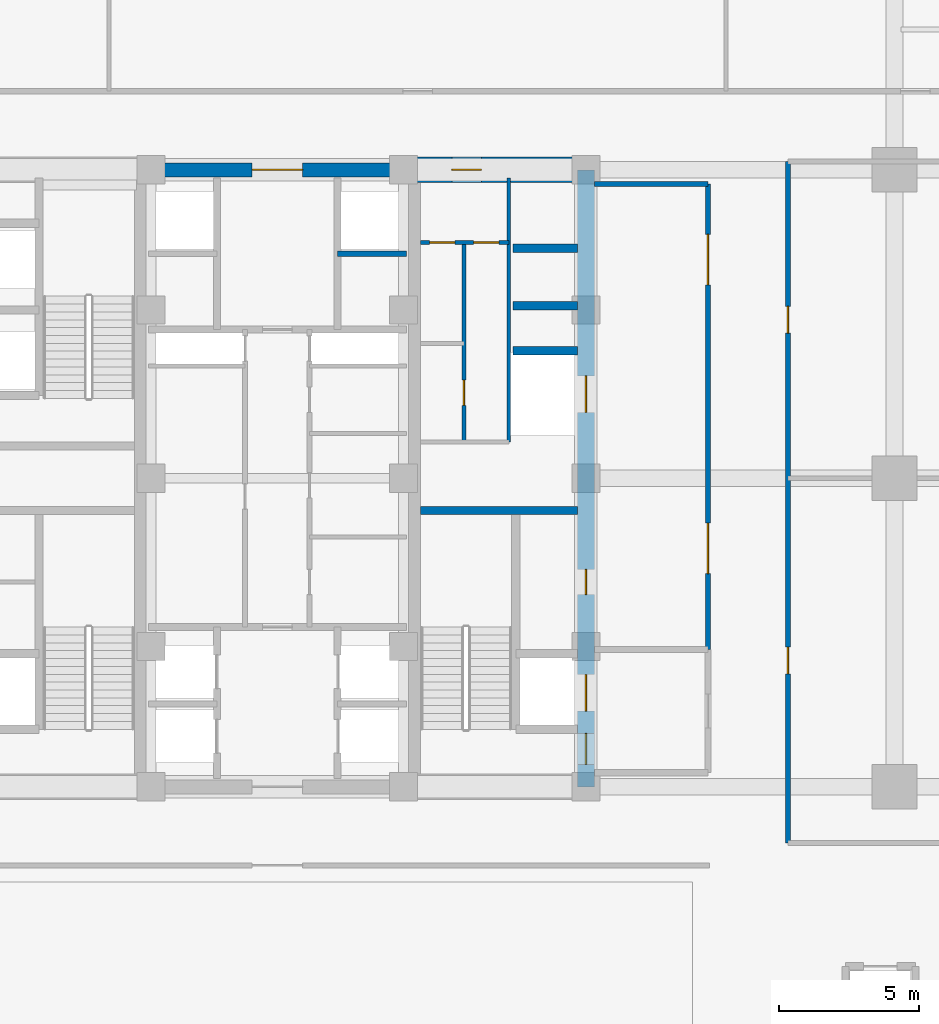
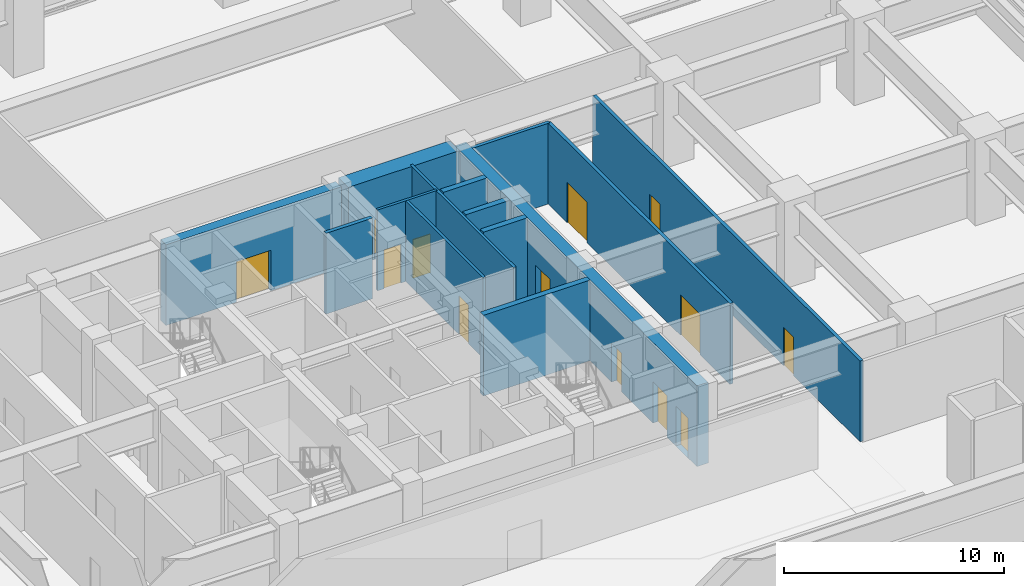
# One storey, part 28 of 38: 14 walls, 13 doors, 13 openings.
"""IFC4 building model written with IfcOpenShell, lengths in metres."""

from ifc_helpers import new_model, si_unit, direction, frame, frame_2d, origin, place, context, subcontext, project, spatial, rectangle, extrude, source, transform, mapped, material, layer, layer_set, type_object, element, fill, save


model = new_model("IFC4")

# Units and contexts
model_context = context("Model", 3, precision=1e-05, world=origin(), true_north=direction((0.0, 1.0)))
body_context = subcontext(model_context, "Body", "Model", "MODEL_VIEW")
ifc_project = project(units=[si_unit("LENGTHUNIT", "METRE"), si_unit("AREAUNIT", "SQUARE_METRE"), si_unit("VOLUMEUNIT", "CUBIC_METRE"), si_unit("PLANEANGLEUNIT", "RADIAN"), si_unit("MASSUNIT", "GRAM", prefix="KILO")], contexts=[model_context])

# Site, building, storey
site_placement = place(None, origin())
site = spatial("IfcSite", under=ifc_project, at=site_placement, CompositionType="ELEMENT")
building_placement = place(site_placement, origin())
building = spatial("IfcBuilding", under=site, at=building_placement, Name="Khorayat Bourse Tower", CompositionType="ELEMENT")
storey_placement = place(building_placement, frame((0.0, 0.0, 17.39990234375)))
storey = spatial("IfcBuildingStorey", under=building, at=storey_placement, Name="L03", CompositionType="ELEMENT", Elevation=17.39990234375)

# Wall, openings, doors
ifc_material_1 = material(Name="Concrete C60/75", Category="concrete")
ifc_layer_1 = layer(ifc_material_1, 0.60009765625)
ifc_layer_set_1 = layer_set([ifc_layer_1], Name="Concrete C60/75")
wall_type_1 = type_object("IfcWallType", Name="WAL-CORE-600", PredefinedType="SHEAR", material=ifc_layer_set_1)
shared_shape_1 = source(origin(), body_context, "Body", "SweptSolid", [
    extrude(rectangle(XDim=22.0, YDim=0.60009765625, at=frame_2d((11.0, 0.0))), origin(), (0.0, 0.0, 1.0), 4.47998046875),
])
wall_1_placement = place(storey_placement, frame((11.0, -11.0, 0.0), z_axis=(0.0, 0.0, 1.0), x_axis=(0.0, 1.0, 0.0)))
wall_1 = element("IfcWall", 1, at=wall_1_placement, inside=storey, type_object=wall_type_1, Name="L03 Core Shear Wall CORE-E", PredefinedType="SHEAR", context=body_context, shape_type="MappedRepresentation", body=[
    mapped(shared_shape_1, transform((0.0, 0.0, 0.0), scale=1.0)),
])
shared_shape_2 = source(origin(), body_context, "Body", "SweptSolid", [
    extrude(rectangle(XDim=1.10009765625, YDim=2.199951171875, at=frame_2d((0.550048828125, 1.10009765625))), frame((0.0, 0.31005859375, 0.0), z_axis=(0.0, -1.0, 0.0), x_axis=(1.0, 0.0, 0.0)), (0.0, 0.0, 1.0), 0.6201171875),
])
opening_1_placement = place(wall_1_placement, frame((0.800048828125, 0.0, 0.0)))
opening_1 = element("IfcOpeningElement", 2, at=opening_1_placement, cuts=wall_1, Name="Opening DI-01", PredefinedType="OPENING", context=body_context, shape_type="MappedRepresentation", body=[
    mapped(shared_shape_2, transform((0.0, 0.0, 0.0), scale=1.0)),
])
shared_shape_3 = source(origin(), body_context, "Body", "SweptSolid", [
    extrude(rectangle(XDim=0.89990234375, YDim=2.14990234375, at=frame_2d((0.449951171875, 1.074951171875))), frame((0.0, 0.31005859375, 0.0), z_axis=(0.0, -1.0, 0.0), x_axis=(1.0, 0.0, 0.0)), (0.0, 0.0, 1.0), 0.6201171875),
])
opening_2_placement = place(wall_1_placement, frame((6.85009765625, 0.0, 0.0)))
opening_2 = element("IfcOpeningElement", 3, at=opening_2_placement, cuts=wall_1, Name="Opening DI-06", PredefinedType="OPENING", context=body_context, shape_type="MappedRepresentation", body=[
    mapped(shared_shape_3, transform((0.0, 0.0, 0.0), scale=1.0)),
])
shared_shape_4 = source(origin(), body_context, "Body", "SweptSolid", [
    extrude(rectangle(XDim=1.300048828125, YDim=2.300048828125, at=frame_2d((0.64990234375, 1.14990234375))), frame((0.0, 0.31005859375, 0.0), z_axis=(0.0, -1.0, 0.0), x_axis=(1.0, 0.0, 0.0)), (0.0, 0.0, 1.0), 0.6201171875),
])
opening_3_placement = place(wall_1_placement, frame((2.699951171875, 0.0, 0.0)))
opening_3 = element("IfcOpeningElement", 4, at=opening_3_placement, cuts=wall_1, Name="Opening LD-02", PredefinedType="OPENING", context=body_context, shape_type="MappedRepresentation", body=[
    mapped(shared_shape_4, transform((0.0, 0.0, 0.0), scale=1.0)),
])
opening_4_placement = place(wall_1_placement, frame((13.35009765625, 0.0, 0.0)))
opening_4 = element("IfcOpeningElement", 5, at=opening_4_placement, cuts=wall_1, Name="Opening LD-02", PredefinedType="OPENING", context=body_context, shape_type="MappedRepresentation", body=[
    mapped(shared_shape_4, transform((0.0, 0.0, 0.0), scale=1.0)),
])
ifc_material_2 = material(Name="Fire-rated steel acoustic leaf", Category="steel")
door_type_1 = type_object("IfcDoorType", Name="DR-INT-STAIR-1100", OperationType="NOTDEFINED", PredefinedType="DOOR", material=ifc_material_2)
shared_shape_5 = source(origin(), body_context, "Body", "SweptSolid", [
    extrude(rectangle(XDim=1.10009765625, YDim=2.199951171875, at=frame_2d((0.550048828125, 1.10009765625))), frame((0.0, 0.02490234375, 0.0), z_axis=(0.0, -1.0, 0.0), x_axis=(1.0, 0.0, 0.0)), (0.0, 0.0, 1.0), 0.050048828125),
])
door_1_placement = place(opening_1_placement, origin())
door_1 = element("IfcDoor", 6, at=door_1_placement, inside=storey, type_object=door_type_1, Name="L03 Exit Stair 3 Door", OperationType="SINGLE_SWING_LEFT", OverallHeight=2.199951171875, OverallWidth=1.10009765625, PredefinedType="DOOR", context=body_context, shape_type="MappedRepresentation", body=[
    mapped(shared_shape_5, transform((0.0, 0.0, 0.0), scale=1.0)),
])
fill(opening_1, door_1)
ifc_material_3 = material(Name="Moisture-resistant laminate washroom door")
door_type_2 = type_object("IfcDoorType", Name="DR-INT-WC-900", OperationType="NOTDEFINED", PredefinedType="DOOR", material=ifc_material_3)
shared_shape_6 = source(origin(), body_context, "Body", "SweptSolid", [
    extrude(rectangle(XDim=0.89990234375, YDim=2.14990234375, at=frame_2d((0.449951171875, 1.074951171875))), frame((0.0, 0.02490234375, 0.0), z_axis=(0.0, -1.0, 0.0), x_axis=(1.0, 0.0, 0.0)), (0.0, 0.0, 1.0), 0.050048828125),
])
door_2_placement = place(opening_2_placement, origin())
door_2 = element("IfcDoor", 7, at=door_2_placement, inside=storey, type_object=door_type_2, Name="L03 Telecom Server Plant Room Door", OperationType="SINGLE_SWING_LEFT", OverallHeight=2.14990234375, OverallWidth=0.89990234375, PredefinedType="DOOR", context=body_context, shape_type="MappedRepresentation", body=[
    mapped(shared_shape_6, transform((0.0, 0.0, 0.0), scale=1.0)),
])
fill(opening_2, door_2)
ifc_material_4 = material(Name="Fire-rated stainless-steel sliding landing door", Category="steel")
door_type_3 = type_object("IfcDoorType", Name="DR-LIFT-FF-1300", OperationType="NOTDEFINED", PredefinedType="DOOR", material=ifc_material_4)
shared_shape_7 = source(origin(), body_context, "Body", "SweptSolid", [
    extrude(rectangle(XDim=1.300048828125, YDim=2.300048828125, at=frame_2d((0.64990234375, 1.14990234375))), frame((0.0, 0.02490234375, 0.0), z_axis=(0.0, -1.0, 0.0), x_axis=(1.0, 0.0, 0.0)), (0.0, 0.0, 1.0), 0.050048828125),
])
door_3_placement = place(opening_3_placement, origin())
door_3 = element("IfcDoor", 8, at=door_3_placement, inside=storey, type_object=door_type_3, Name="L03 Lift FFL-02 Sliding Landing Door", OperationType="SLIDING_TO_LEFT", OverallHeight=2.300048828125, OverallWidth=1.300048828125, PredefinedType="DOOR", context=body_context, shape_type="MappedRepresentation", body=[
    mapped(shared_shape_7, transform((0.0, 0.0, 0.0), scale=1.0)),
])
fill(opening_3, door_3)
door_4_placement = place(opening_4_placement, origin())
door_4 = element("IfcDoor", 9, at=door_4_placement, inside=storey, type_object=door_type_3, Name="L03 Lift SVL-01 Sliding Landing Door", OperationType="SLIDING_TO_LEFT", OverallHeight=2.300048828125, OverallWidth=1.300048828125, PredefinedType="DOOR", context=body_context, shape_type="MappedRepresentation", body=[
    mapped(shared_shape_7, transform((0.0, 0.0, 0.0), scale=1.0)),
])
fill(opening_4, door_4)

# Wall, opening, door
ifc_material_5 = material(Name="Concrete C72/90", Category="concrete")
ifc_layer_2 = layer(ifc_material_5, 0.89990234375)
ifc_layer_set_2 = layer_set([ifc_layer_2], Name="Concrete C72/90")
wall_type_2 = type_object("IfcWallType", Name="WAL-CORE-900", PredefinedType="SHEAR", material=ifc_layer_set_2)
shared_shape_8 = source(origin(), body_context, "Body", "SweptSolid", [
    extrude(rectangle(XDim=5.849853515625, YDim=0.89990234375, at=frame_2d((2.9248046875, 0.0))), origin(), (0.0, 0.0, 1.0), 4.47998046875),
])
wall_2_placement = place(storey_placement, frame((4.85009765625, 11.0, 0.0), z_axis=(0.0, 0.0, 1.0), x_axis=(1.0, 0.0, 0.0)))
wall_2 = element("IfcWall", 10, at=wall_2_placement, inside=storey, type_object=wall_type_2, Name="L03 Core Shear Wall PIER-EN", PredefinedType="SHEAR", context=body_context, shape_type="MappedRepresentation", body=[
    mapped(shared_shape_8, transform((0.0, 0.0, 0.0), scale=1.0)),
])
shared_shape_9 = source(origin(), body_context, "Body", "SweptSolid", [
    extrude(rectangle(XDim=1.050048828125, YDim=2.199951171875, at=frame_2d((0.52490234375, 1.10009765625))), frame((0.0, 0.4599609375, 0.0), z_axis=(0.0, -1.0, 0.0), x_axis=(1.0, 0.0, 0.0)), (0.0, 0.0, 1.0), 0.919921875),
])
opening_5_placement = place(wall_2_placement, frame((1.375, 0.0, 0.0)))
opening_5 = element("IfcOpeningElement", 11, at=opening_5_placement, cuts=wall_2, Name="Opening DI-04", PredefinedType="OPENING", context=body_context, shape_type="MappedRepresentation", body=[
    mapped(shared_shape_9, transform((0.0, 0.0, 0.0), scale=1.0)),
])
ifc_material_6 = material(Name="Fire-rated oak veneer suite entrance door")
door_type_4 = type_object("IfcDoorType", Name="DR-INT-SUITE-1050", OperationType="NOTDEFINED", PredefinedType="DOOR", material=ifc_material_6)
shared_shape_10 = source(origin(), body_context, "Body", "SweptSolid", [
    extrude(rectangle(XDim=1.050048828125, YDim=2.199951171875, at=frame_2d((0.52490234375, 1.10009765625))), frame((0.0, 0.02490234375, 0.0), z_axis=(0.0, -1.0, 0.0), x_axis=(1.0, 0.0, 0.0)), (0.0, 0.0, 1.0), 0.050048828125),
])
door_5_placement = place(opening_5_placement, origin())
door_5 = element("IfcDoor", 12, at=door_5_placement, inside=storey, type_object=door_type_4, Name="L03 Core Washroom Lobby Door", OperationType="SINGLE_SWING_LEFT", OverallHeight=2.199951171875, OverallWidth=1.050048828125, PredefinedType="DOOR", context=body_context, shape_type="MappedRepresentation", body=[
    mapped(shared_shape_10, transform((0.0, 0.0, 0.0), scale=1.0)),
])
fill(opening_5, door_5)

# Wall
ifc_material_7 = material(Name="Concrete C50/60", Category="concrete")
ifc_layer_3 = layer(ifc_material_7, 0.300048828125)
ifc_layer_set_3 = layer_set([ifc_layer_3], Name="Concrete C50/60")
wall_type_3 = type_object("IfcWallType", Name="WAL-SHAFT-300", PredefinedType="SHEAR", material=ifc_layer_set_3)
shared_shape_11 = source(origin(), body_context, "Body", "SweptSolid", [
    extrude(rectangle(XDim=5.599853515625, YDim=0.300048828125, at=frame_2d((2.7998046875, 0.0))), origin(), (0.0, 0.0, 1.0), 4.47998046875),
])
wall_3_placement = place(storey_placement, frame((5.10009765625, -1.14990234375, 0.0), z_axis=(0.0, 0.0, 1.0), x_axis=(1.0, 0.0, 0.0)))
element("IfcWall", 13, at=wall_3_placement, inside=storey, type_object=wall_type_3, Name="L03 Core Shear Wall ST3-DIV", PredefinedType="SHEAR", context=body_context, shape_type="MappedRepresentation", body=[
    mapped(shared_shape_11, transform((0.0, 0.0, 0.0), scale=1.0)),
])

# Wall, opening, door
ifc_material_8 = material(Name="Concrete C52/65", Category="concrete")
ifc_layer_4 = layer(ifc_material_8, 0.5)
ifc_layer_set_4 = layer_set([ifc_layer_4], Name="Concrete C52/65")
wall_type_4 = type_object("IfcWallType", Name="WAL-CORE-500", PredefinedType="SHEAR", material=ifc_layer_set_4)
shared_shape_12 = source(origin(), body_context, "Body", "SweptSolid", [
    extrude(rectangle(XDim=9.2001953125, YDim=0.5, at=frame_2d((4.60009765625, 0.0))), origin(), (0.0, 0.0, 1.0), 4.47998046875),
])
wall_4_placement = place(storey_placement, frame((-4.60009765625, 11.0, 0.0), z_axis=(0.0, 0.0, 1.0), x_axis=(1.0, 0.0, 0.0)))
wall_4 = element("IfcWall", 14, at=wall_4_placement, inside=storey, type_object=wall_type_4, Name="L03 Core Shear Wall CORE-N", PredefinedType="SHEAR", context=body_context, shape_type="MappedRepresentation", body=[
    mapped(shared_shape_12, transform((0.0, 0.0, 0.0), scale=1.0)),
])
shared_shape_13 = source(origin(), body_context, "Body", "SweptSolid", [
    extrude(rectangle(XDim=1.800048828125, YDim=2.25, at=frame_2d((0.89990234375, 1.125))), frame((0.0, 0.260009765625, 0.0), z_axis=(0.0, -1.0, 0.0), x_axis=(1.0, 0.0, 0.0)), (0.0, 0.0, 1.0), 0.52001953125),
])
opening_6_placement = place(wall_4_placement, frame((3.699951171875, 0.0, 0.0)))
opening_6 = element("IfcOpeningElement", 15, at=opening_6_placement, cuts=wall_4, Name="Opening DI-03", PredefinedType="OPENING", context=body_context, shape_type="MappedRepresentation", body=[
    mapped(shared_shape_13, transform((0.0, 0.0, 0.0), scale=1.0)),
])
ifc_material_9 = material(Name="Fire-rated hardwood vision-panel double leaf", Category="wood")
door_type_5 = type_object("IfcDoorType", Name="DR-INT-CORR-1800", OperationType="NOTDEFINED", PredefinedType="DOOR", material=ifc_material_9)
shared_shape_14 = source(origin(), body_context, "Body", "SweptSolid", [
    extrude(rectangle(XDim=1.800048828125, YDim=2.25, at=frame_2d((0.89990234375, 1.125))), frame((0.0, 0.02490234375, 0.0), z_axis=(0.0, -1.0, 0.0), x_axis=(1.0, 0.0, 0.0)), (0.0, 0.0, 1.0), 0.050048828125),
])
door_6_placement = place(opening_6_placement, origin())
door_6 = element("IfcDoor", 16, at=door_6_placement, inside=storey, type_object=door_type_5, Name="L03 Mid-Rise Lift Lobby Door", OperationType="SINGLE_SWING_RIGHT", OverallHeight=2.25, OverallWidth=1.800048828125, PredefinedType="DOOR", context=body_context, shape_type="MappedRepresentation", body=[
    mapped(shared_shape_14, transform((0.0, 0.0, 0.0), scale=1.0)),
])
fill(opening_6, door_6)

# Walls
shared_shape_15 = source(origin(), body_context, "Body", "SweptSolid", [
    extrude(rectangle(XDim=2.300048828125, YDim=0.300048828125, at=frame_2d((1.14990234375, 0.0))), origin(), (0.0, 0.0, 1.0), 4.47998046875),
])
for number, where, z_axis, x_axis, name in (
    (17, (8.39990234375, 4.550048828125, 0.0), (0.0, 0.0, 1.0), (1.0, 0.0, 0.0), "L03 Partition WAL-L03-EPIER-SVLN"),
    (18, (8.39990234375, 6.14990234375, 0.0), (0.0, 0.0, 1.0), (1.0, 0.0, 0.0), "L03 Partition WAL-L03-EPIER-H3S"),
    (19, (8.39990234375, 8.199951171875, 0.0), (0.0, 0.0, 1.0), (1.0, 0.0, 0.0), "L03 Partition WAL-L03-EPIER-H34"),
):
    element("IfcWall", number, at=place(storey_placement, frame(where, z_axis=z_axis, x_axis=x_axis)), inside=storey, type_object=wall_type_3, Name=name, PredefinedType="SHEAR", context=body_context, shape_type="MappedRepresentation", body=[
        mapped(shared_shape_15, transform((0.0, 0.0, 0.0), scale=1.0)),
    ])
ifc_material_10 = material(Name="Moisture-resistant masonry partition", Category="masonry")
ifc_layer_5 = layer(ifc_material_10, 0.139892578125)
ifc_layer_set_5 = layer_set([ifc_layer_5], Name="Moisture-resistant masonry partition")
wall_type_5 = type_object("IfcWallType", Name="WAL-PART-WET-140", PredefinedType="PARTITIONING", material=ifc_layer_set_5)
shared_shape_16 = source(origin(), body_context, "Body", "SweptSolid", [
    extrude(rectangle(XDim=9.39990234375, YDim=0.139892578125, at=frame_2d((4.699951171875, 0.0))), origin(), (0.0, 0.0, 1.0), 4.47998046875),
])
wall_5_placement = place(storey_placement, frame((8.25, 1.300048828125, 0.0), z_axis=(0.0, 0.0, 1.0), x_axis=(0.0, 1.0, 0.0)))
element("IfcWall", 20, at=wall_5_placement, inside=storey, type_object=wall_type_5, Name="L03 Partition WAL-L03-ECORE-E", PredefinedType="PARTITIONING", context=body_context, shape_type="MappedRepresentation", body=[
    mapped(shared_shape_16, transform((0.0, 0.0, 0.0), scale=1.0)),
])

# Wall, openings, doors
shared_shape_17 = source(origin(), body_context, "Body", "SweptSolid", [
    extrude(rectangle(XDim=3.14990234375, YDim=0.139892578125, at=frame_2d((1.574951171875, 0.0))), origin(), (0.0, 0.0, 1.0), 4.47998046875),
])
wall_6_placement = place(storey_placement, frame((5.10009765625, 8.39990234375, 0.0), z_axis=(0.0, 0.0, 1.0), x_axis=(1.0, 0.0, 0.0)))
wall_6 = element("IfcWall", 21, at=wall_6_placement, inside=storey, type_object=wall_type_5, Name="L03 Partition WAL-L03-ECW-TOP", PredefinedType="PARTITIONING", context=body_context, shape_type="MappedRepresentation", body=[
    mapped(shared_shape_17, transform((0.0, 0.0, 0.0), scale=1.0)),
])
shared_shape_18 = source(origin(), body_context, "Body", "SweptSolid", [
    extrude(rectangle(XDim=0.89990234375, YDim=2.14990234375, at=frame_2d((0.449951171875, 1.074951171875))), frame((0.0, 0.079833984375, 0.0), z_axis=(0.0, -1.0, 0.0), x_axis=(1.0, 0.0, 0.0)), (0.0, 0.0, 1.0), 0.159912109375),
])
opening_7_placement = place(wall_6_placement, frame((0.330078125, 0.0, 0.0)))
opening_7 = element("IfcOpeningElement", 22, at=opening_7_placement, cuts=wall_6, Name="Opening DI-06", PredefinedType="OPENING", context=body_context, shape_type="MappedRepresentation", body=[
    mapped(shared_shape_18, transform((0.0, 0.0, 0.0), scale=1.0)),
])
opening_8_placement = place(wall_6_placement, frame((1.89990234375, 0.0, 0.0)))
opening_8 = element("IfcOpeningElement", 23, at=opening_8_placement, cuts=wall_6, Name="Opening DI-06", PredefinedType="OPENING", context=body_context, shape_type="MappedRepresentation", body=[
    mapped(shared_shape_18, transform((0.0, 0.0, 0.0), scale=1.0)),
])
door_7_placement = place(opening_7_placement, origin())
door_7 = element("IfcDoor", 24, at=door_7_placement, inside=storey, type_object=door_type_2, Name="L03 Accessible WC Door", OperationType="SINGLE_SWING_LEFT", OverallHeight=2.14990234375, OverallWidth=0.89990234375, PredefinedType="DOOR", context=body_context, shape_type="MappedRepresentation", body=[
    mapped(shared_shape_6, transform((0.0, 0.0, 0.0), scale=1.0)),
])
fill(opening_7, door_7)
door_8_placement = place(opening_8_placement, origin())
door_8 = element("IfcDoor", 25, at=door_8_placement, inside=storey, type_object=door_type_2, Name="L03 Shared Washroom Door", OperationType="SINGLE_SWING_RIGHT", OverallHeight=2.14990234375, OverallWidth=0.89990234375, PredefinedType="DOOR", context=body_context, shape_type="MappedRepresentation", body=[
    mapped(shared_shape_6, transform((0.0, 0.0, 0.0), scale=1.0)),
])
fill(opening_8, door_8)

# Wall
ifc_material_11 = material(Name="Gypsum plasterboard acoustic stud wall")
ifc_layer_6 = layer(ifc_material_11, 0.179931640625)
ifc_layer_set_6 = layer_set([ifc_layer_6], Name="Gypsum plasterboard acoustic stud wall")
wall_type_6 = type_object("IfcWallType", Name="WAL-PART-CORR-180", PredefinedType="PARTITIONING", material=ifc_layer_set_6)
shared_shape_19 = source(origin(), body_context, "Body", "SweptSolid", [
    extrude(rectangle(XDim=4.050048828125, YDim=0.179931640625, at=frame_2d((2.02490234375, 0.0))), origin(), (0.0, 0.0, 1.0), 4.47998046875),
])
wall_7_placement = place(storey_placement, frame((11.300048828125, 10.5, 0.0), z_axis=(0.0, 0.0, 1.0), x_axis=(1.0, 0.0, 0.0)))
element("IfcWall", 26, at=wall_7_placement, inside=storey, type_object=wall_type_6, Name="L03 Partition WAL-L03-ELOB-N", PredefinedType="PARTITIONING", context=body_context, shape_type="MappedRepresentation", body=[
    mapped(shared_shape_19, transform((0.0, 0.0, 0.0), scale=1.0)),
])

# Wall, openings, doors
shared_shape_20 = source(origin(), body_context, "Body", "SweptSolid", [
    extrude(rectangle(XDim=16.60009765625, YDim=0.179931640625, at=frame_2d((8.300048828125, 0.0))), origin(), (0.0, 0.0, 1.0), 4.47998046875),
])
wall_8_placement = place(storey_placement, frame((15.35009765625, -6.10009765625, 0.0), z_axis=(0.0, 0.0, 1.0), x_axis=(0.0, 1.0, 0.0)))
wall_8 = element("IfcWall", 27, at=wall_8_placement, inside=storey, type_object=wall_type_6, Name="L03 Partition WAL-L03-ELOB-E", PredefinedType="PARTITIONING", context=body_context, shape_type="MappedRepresentation", body=[
    mapped(shared_shape_20, transform((0.0, 0.0, 0.0), scale=1.0)),
])
shared_shape_21 = source(origin(), body_context, "Body", "SweptSolid", [
    extrude(rectangle(XDim=1.800048828125, YDim=2.25, at=frame_2d((0.89990234375, 1.125))), frame((0.0, 0.099853515625, 0.0), z_axis=(0.0, -1.0, 0.0), x_axis=(1.0, 0.0, 0.0)), (0.0, 0.0, 1.0), 0.199951171875),
])
opening_9_placement = place(wall_8_placement, frame((2.699951171875, 0.0, 0.0)))
opening_9 = element("IfcOpeningElement", 28, at=opening_9_placement, cuts=wall_8, Name="Opening DI-03", PredefinedType="OPENING", context=body_context, shape_type="MappedRepresentation", body=[
    mapped(shared_shape_21, transform((0.0, 0.0, 0.0), scale=1.0)),
])
opening_10_placement = place(wall_8_placement, frame((13.0, 0.0, 0.0)))
opening_10 = element("IfcOpeningElement", 29, at=opening_10_placement, cuts=wall_8, Name="Opening DI-03", PredefinedType="OPENING", context=body_context, shape_type="MappedRepresentation", body=[
    mapped(shared_shape_21, transform((0.0, 0.0, 0.0), scale=1.0)),
])
door_9_placement = place(opening_9_placement, origin())
door_9 = element("IfcDoor", 30, at=door_9_placement, inside=storey, type_object=door_type_5, Name="L03 East Core Lobby South Door", OperationType="SINGLE_SWING_RIGHT", OverallHeight=2.25, OverallWidth=1.800048828125, PredefinedType="DOOR", context=body_context, shape_type="MappedRepresentation", body=[
    mapped(shared_shape_14, transform((0.0, 0.0, 0.0), scale=1.0)),
])
fill(opening_9, door_9)
door_10_placement = place(opening_10_placement, origin())
door_10 = element("IfcDoor", 31, at=door_10_placement, inside=storey, type_object=door_type_5, Name="L03 East Core Lobby North Door", OperationType="SINGLE_SWING_LEFT", OverallHeight=2.25, OverallWidth=1.800048828125, PredefinedType="DOOR", context=body_context, shape_type="MappedRepresentation", body=[
    mapped(shared_shape_14, transform((0.0, 0.0, 0.0), scale=1.0)),
])
fill(opening_10, door_10)

# Wall
shared_shape_22 = source(origin(), body_context, "Body", "SweptSolid", [
    extrude(rectangle(XDim=2.4501953125, YDim=0.199951171875, at=frame_2d((1.22509765625, 0.0))), origin(), (0.0, 0.0, 1.0), 4.47998046875),
])
wall_9_placement = place(storey_placement, frame((2.14990234375, 8.0, 0.0), z_axis=(0.0, 0.0, 1.0), x_axis=(1.0, 0.0, 0.0)))
element("IfcWall", 32, at=wall_9_placement, inside=storey, type_object=wall_type_3, Name="L03 Partition WAL-L03-B2-ME", PredefinedType="SHEAR", context=body_context, shape_type="MappedRepresentation", body=[
    mapped(shared_shape_22, transform((0.0, 0.0, 0.0), scale=1.0)),
])

# Wall, opening, door
shared_shape_23 = source(origin(), body_context, "Body", "SweptSolid", [
    extrude(rectangle(XDim=7.099853515625, YDim=0.139892578125, at=frame_2d((3.5498046875, 0.0))), origin(), (0.0, 0.0, 1.0), 4.47998046875),
])
wall_10_placement = place(storey_placement, frame((6.64990234375, 1.300048828125, 0.0), z_axis=(0.0, 0.0, 1.0), x_axis=(0.0, 1.0, 0.0)))
wall_10 = element("IfcWall", 33, at=wall_10_placement, inside=storey, type_object=wall_type_5, Name="L03 Partition WAL-L03-ECW-MID", PredefinedType="PARTITIONING", context=body_context, shape_type="MappedRepresentation", body=[
    mapped(shared_shape_23, transform((0.0, 0.0, 0.0), scale=1.0)),
])
opening_11_placement = place(wall_10_placement, frame((1.300048828125, 0.0, 0.0)))
opening_11 = element("IfcOpeningElement", 34, at=opening_11_placement, cuts=wall_10, Name="Opening DI-06", PredefinedType="OPENING", context=body_context, shape_type="MappedRepresentation", body=[
    mapped(shared_shape_18, transform((0.0, 0.0, 0.0), scale=1.0)),
])
door_11_placement = place(opening_11_placement, origin())
door_11 = element("IfcDoor", 35, at=door_11_placement, inside=storey, type_object=door_type_2, Name="L03 Janitor Store Door", OperationType="SINGLE_SWING_LEFT", OverallHeight=2.14990234375, OverallWidth=0.89990234375, PredefinedType="DOOR", context=body_context, shape_type="MappedRepresentation", body=[
    mapped(shared_shape_6, transform((0.0, 0.0, 0.0), scale=1.0)),
])
fill(opening_11, door_11)

# Wall, openings, doors
shared_shape_24 = source(origin(), body_context, "Body", "SweptSolid", [
    extrude(rectangle(XDim=24.300048828125, YDim=0.179931640625, at=frame_2d((12.14990234375, 0.0))), origin(), (0.0, 0.0, 1.0), 4.47998046875),
])
wall_11_placement = place(storey_placement, frame((18.199951171875, -13.0, 0.0), z_axis=(0.0, 0.0, 1.0), x_axis=(0.0, 1.0, 0.0)))
wall_11 = element("IfcWall", 36, at=wall_11_placement, inside=storey, type_object=wall_type_6, Name="L03 Partition WAL-L03-PCORRE-E", PredefinedType="PARTITIONING", context=body_context, shape_type="MappedRepresentation", body=[
    mapped(shared_shape_24, transform((0.0, 0.0, 0.0), scale=1.0)),
])
shared_shape_25 = source(origin(), body_context, "Body", "SweptSolid", [
    extrude(rectangle(XDim=0.949951171875, YDim=2.14990234375, at=frame_2d((0.47509765625, 1.074951171875))), frame((0.0, 0.099853515625, 0.0), z_axis=(0.0, -1.0, 0.0), x_axis=(1.0, 0.0, 0.0)), (0.0, 0.0, 1.0), 0.199951171875),
])
opening_12_placement = place(wall_11_placement, frame((6.02490234375, 0.0, 0.0)))
opening_12 = element("IfcOpeningElement", 37, at=opening_12_placement, cuts=wall_11, Name="Opening DI-05", PredefinedType="OPENING", context=body_context, shape_type="MappedRepresentation", body=[
    mapped(shared_shape_25, transform((0.0, 0.0, 0.0), scale=1.0)),
])
opening_13_placement = place(wall_11_placement, frame((18.175048828125, 0.0, 0.0)))
opening_13 = element("IfcOpeningElement", 38, at=opening_13_placement, cuts=wall_11, Name="Opening DI-05", PredefinedType="OPENING", context=body_context, shape_type="MappedRepresentation", body=[
    mapped(shared_shape_25, transform((0.0, 0.0, 0.0), scale=1.0)),
])
ifc_material_12 = material(Name="Acoustic oak veneer office door")
door_type_6 = type_object("IfcDoorType", Name="DR-INT-OFFICE-950", OperationType="NOTDEFINED", PredefinedType="DOOR", material=ifc_material_12)
shared_shape_26 = source(origin(), body_context, "Body", "SweptSolid", [
    extrude(rectangle(XDim=0.949951171875, YDim=2.14990234375, at=frame_2d((0.47509765625, 1.074951171875))), frame((0.0, 0.02490234375, 0.0), z_axis=(0.0, -1.0, 0.0), x_axis=(1.0, 0.0, 0.0)), (0.0, 0.0, 1.0), 0.050048828125),
])
door_12_placement = place(opening_12_placement, origin())
door_12 = element("IfcDoor", 39, at=door_12_placement, inside=storey, type_object=door_type_6, Name="L03 Custody Operations Office Door", OperationType="SINGLE_SWING_LEFT", OverallHeight=2.14990234375, OverallWidth=0.949951171875, PredefinedType="DOOR", context=body_context, shape_type="MappedRepresentation", body=[
    mapped(shared_shape_26, transform((0.0, 0.0, 0.0), scale=1.0)),
])
fill(opening_12, door_12)
door_13_placement = place(opening_13_placement, origin())
door_13 = element("IfcDoor", 40, at=door_13_placement, inside=storey, type_object=door_type_6, Name="L03 Prayer and Wellness Suite Door", OperationType="SINGLE_SWING_RIGHT", OverallHeight=2.14990234375, OverallWidth=0.949951171875, PredefinedType="DOOR", context=body_context, shape_type="MappedRepresentation", body=[
    mapped(shared_shape_26, transform((0.0, 0.0, 0.0), scale=1.0)),
])
fill(opening_13, door_13)

save(model, "model.ifc")
